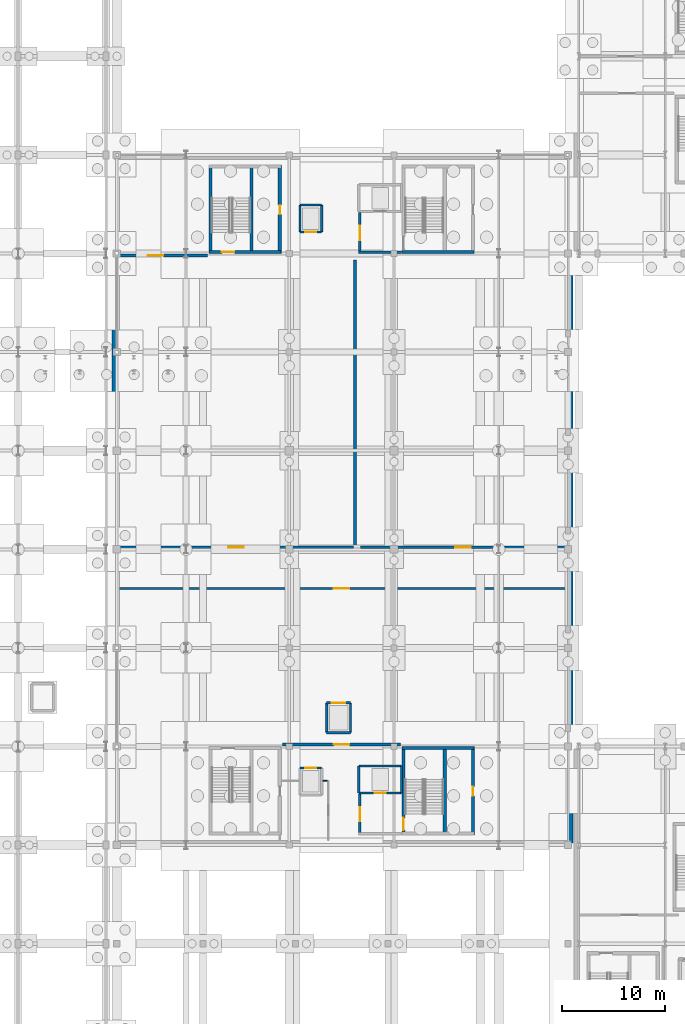
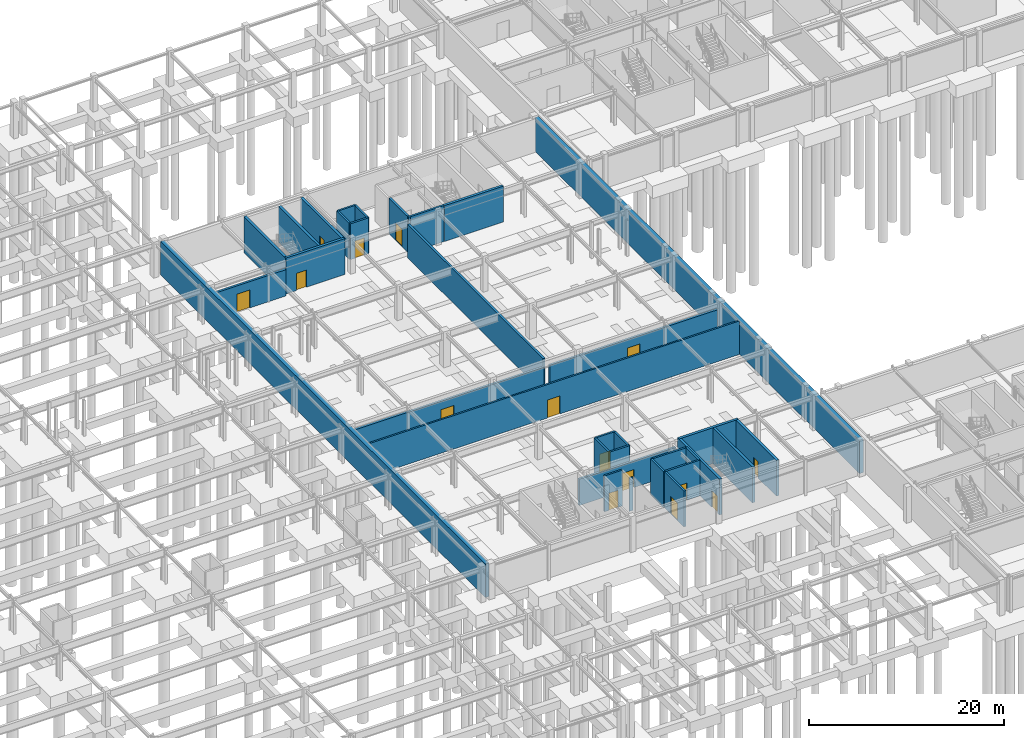
# One storey, part 41 of 59: 34 walls, 15 doors, 15 openings.
"""IFC4 building model written with IfcOpenShell, lengths in metres."""

from ifc_helpers import new_model, si_unit, direction, frame, frame_2d, origin, place, context, subcontext, project, spatial, rectangle, extrude, material, layer, layer_set, type_object, element, fill, save


model = new_model("IFC4")

# Units and contexts
model_context = context("Model", 3, precision=1e-05, world=origin(), true_north=direction((0.0, 1.0)))
body_context = subcontext(model_context, "Body", "Model", "MODEL_VIEW")
ifc_project = project(units=[si_unit("LENGTHUNIT", "METRE"), si_unit("AREAUNIT", "SQUARE_METRE"), si_unit("VOLUMEUNIT", "CUBIC_METRE"), si_unit("PLANEANGLEUNIT", "RADIAN"), si_unit("MASSUNIT", "GRAM", prefix="KILO")], contexts=[model_context])

# Site, building, storey
site_placement = place(None, origin())
site = spatial("IfcSite", under=ifc_project, at=site_placement, CompositionType="ELEMENT")
building_placement = place(site_placement, origin())
building = spatial("IfcBuilding", under=site, at=building_placement, Name="Myrtia Square Station", CompositionType="ELEMENT")
storey_placement = place(building_placement, frame((0.0, 0.0, -4.5)))
storey = spatial("IfcBuildingStorey", under=building, at=storey_placement, Name="B01", CompositionType="ELEMENT", Elevation=-4.5)

# Wall, opening, door
ifc_material_1 = material(Name="Concrete C35/45", Category="concrete")
ifc_layer_1 = layer(ifc_material_1, 0.300048828125, Name="Concrete C35/45")
ifc_layer_set_1 = layer_set([ifc_layer_1], Name="Concrete C35/45")
wall_type_1 = type_object("IfcWallType", Name="WL-CORE-300", PredefinedType="SHEAR", material=ifc_layer_set_1)
wall_1_placement = place(storey_placement, frame((81.60009765625, 86.52490234375, 0.0), z_axis=(0.0, 0.0, 1.0), x_axis=(1.0, 0.0, 0.0)))
wall_1 = element("IfcWall", 1, at=wall_1_placement, inside=storey, type_object=wall_type_1, Name="Core K2 shear wall B01 S", PredefinedType="SHEAR", context=body_context, shape_type="SweptSolid", body=[
    extrude(rectangle(XDim=7.0, YDim=0.300048828125, at=frame_2d((3.5, 0.0))), origin(), (0.0, 0.0, 1.0), 4.5),
])
opening_1_placement = place(wall_1_placement, frame((1.25, 0.0, 0.0)))
opening_1 = element("IfcOpeningElement", 2, at=opening_1_placement, cuts=wall_1, Name="Opening SD-011", PredefinedType="OPENING", context=body_context, shape_type="SweptSolid", body=[
    extrude(rectangle(XDim=1.199951171875, YDim=2.14990234375, at=frame_2d((0.60009765625, 1.074951171875))), frame((0.0, 0.1650390625, 0.0), z_axis=(0.0, -1.0, 0.0), x_axis=(1.0, 0.0, 0.0)), (0.0, 0.0, 1.0), 0.330078125),
])
ifc_material_2 = material(Name="Dark bronze anodised aluminium", Category="aluminium")
door_type_1 = type_object("IfcDoorType", Name="DR-STAIR-1200x2150", OperationType="NOTDEFINED", PredefinedType="DOOR", material=ifc_material_2)
door_1_placement = place(opening_1_placement, origin())
door_1 = element("IfcDoor", 3, at=door_1_placement, inside=storey, type_object=door_type_1, Name="Protected stair fire door K2 B01", OperationType="SINGLE_SWING_LEFT", OverallHeight=2.14990234375, OverallWidth=1.199951171875, PredefinedType="DOOR", context=body_context, shape_type="SweptSolid", body=[
    extrude(rectangle(XDim=1.199951171875, YDim=2.14990234375, at=frame_2d((0.60009765625, 1.074951171875))), frame((0.0, 0.02490234375, 0.0), z_axis=(0.0, -1.0, 0.0), x_axis=(1.0, 0.0, 0.0)), (0.0, 0.0, 1.0), 0.050048828125),
])
fill(opening_1, door_1)

# Wall
wall_2_placement = place(storey_placement, frame((81.72509765625, 86.39990234375, 0.0), z_axis=(0.0, 0.0, 1.0), x_axis=(0.0, 1.0, 0.0)))
element("IfcWall", 4, at=wall_2_placement, inside=storey, type_object=wall_type_1, Name="Core K2 shear wall B01 W", PredefinedType="SHEAR", context=body_context, shape_type="SweptSolid", body=[
    extrude(rectangle(XDim=8.60009765625, YDim=0.300048828125, at=frame_2d((4.300048828125, 0.0))), origin(), (0.0, 0.0, 1.0), 4.5),
])

# Wall, opening, door
wall_3_placement = place(storey_placement, frame((88.47509765625, 86.39990234375, 0.0), z_axis=(0.0, 0.0, 1.0), x_axis=(0.0, 1.0, 0.0)))
wall_3 = element("IfcWall", 5, at=wall_3_placement, inside=storey, type_object=wall_type_1, Name="Core K2 shear wall B01 E", PredefinedType="SHEAR", context=body_context, shape_type="SweptSolid", body=[
    extrude(rectangle(XDim=8.60009765625, YDim=0.300048828125, at=frame_2d((4.300048828125, 0.0))), origin(), (0.0, 0.0, 1.0), 4.5),
])
opening_2_placement = place(wall_3_placement, frame((3.800048828125, 0.0, 0.0)))
opening_2 = element("IfcOpeningElement", 6, at=opening_2_placement, cuts=wall_3, Name="Opening RD-012", PredefinedType="OPENING", context=body_context, shape_type="SweptSolid", body=[
    extrude(rectangle(XDim=0.89990234375, YDim=2.050048828125, at=frame_2d((0.449951171875, 1.02490234375))), frame((0.0, 0.1650390625, 0.0), z_axis=(0.0, -1.0, 0.0), x_axis=(1.0, 0.0, 0.0)), (0.0, 0.0, 1.0), 0.330078125),
])
door_type_2 = type_object("IfcDoorType", Name="DR-RISER-900x2050", OperationType="NOTDEFINED", PredefinedType="DOOR", material=ifc_material_2)
door_2_placement = place(opening_2_placement, origin())
door_2 = element("IfcDoor", 7, at=door_2_placement, inside=storey, type_object=door_type_2, Name="Riser cupboard access door K2 B01", OperationType="SINGLE_SWING_RIGHT", OverallHeight=2.050048828125, OverallWidth=0.89990234375, PredefinedType="DOOR", context=body_context, shape_type="SweptSolid", body=[
    extrude(rectangle(XDim=0.89990234375, YDim=2.050048828125, at=frame_2d((0.449951171875, 1.02490234375))), frame((0.0, 0.02490234375, 0.0), z_axis=(0.0, -1.0, 0.0), x_axis=(1.0, 0.0, 0.0)), (0.0, 0.0, 1.0), 0.050048828125),
])
fill(opening_2, door_2)

# Walls
wall_4_placement = place(storey_placement, frame((85.739990234375, 86.60009765625, 0.0), z_axis=(0.0, 0.0, 1.0), x_axis=(0.0, 1.0, 0.0)))
element("IfcWall", 8, at=wall_4_placement, inside=storey, type_object=wall_type_1, Name="Core K2 shear wall B01 D", PredefinedType="SHEAR", context=body_context, shape_type="SweptSolid", body=[
    extrude(rectangle(XDim=8.199951171875, YDim=0.300048828125, at=frame_2d((4.10009765625, 0.0))), origin(), (0.0, 0.0, 1.0), 4.5),
])
wall_5_placement = place(storey_placement, frame((100.39990234375, 38.27490234375, 0.0), z_axis=(0.0, 0.0, 1.0), x_axis=(1.0, 0.0, 0.0)))
element("IfcWall", 9, at=wall_5_placement, inside=storey, type_object=wall_type_1, Name="Core K3 shear wall B01 N", PredefinedType="SHEAR", context=body_context, shape_type="SweptSolid", body=[
    extrude(rectangle(XDim=7.0, YDim=0.300048828125, at=frame_2d((3.5, 0.0))), origin(), (0.0, 0.0, 1.0), 4.5),
])

# Wall, opening, door
wall_6_placement = place(storey_placement, frame((100.52490234375, 29.800048828125, 0.0), z_axis=(0.0, 0.0, 1.0), x_axis=(0.0, 1.0, 0.0)))
wall_6 = element("IfcWall", 10, at=wall_6_placement, inside=storey, type_object=wall_type_1, Name="Core K3 shear wall B01 W", PredefinedType="SHEAR", context=body_context, shape_type="SweptSolid", body=[
    extrude(rectangle(XDim=8.599853515625, YDim=0.300048828125, at=frame_2d((4.2998046875, 0.0))), origin(), (0.0, 0.0, 1.0), 4.5),
])
opening_3_placement = place(wall_6_placement, frame((0.449951171875, 0.0, 0.0)))
opening_3 = element("IfcOpeningElement", 11, at=opening_3_placement, cuts=wall_6, Name="Opening SD-021", PredefinedType="OPENING", context=body_context, shape_type="SweptSolid", body=[
    extrude(rectangle(XDim=1.199951171875, YDim=2.14990234375, at=frame_2d((0.60009765625, 1.074951171875))), frame((0.0, 0.1650390625, 0.0), z_axis=(0.0, -1.0, 0.0), x_axis=(1.0, 0.0, 0.0)), (0.0, 0.0, 1.0), 0.330078125),
])
door_3_placement = place(opening_3_placement, frame((1.199951171875, 0.0, 0.0), z_axis=(0.0, 0.0, 1.0), x_axis=(-1.0, 0.0, 0.0)))
door_3 = element("IfcDoor", 12, at=door_3_placement, inside=storey, type_object=door_type_1, Name="Protected stair fire door K3 B01", OperationType="SINGLE_SWING_LEFT", OverallHeight=2.14990234375, OverallWidth=1.199951171875, PredefinedType="DOOR", context=body_context, shape_type="SweptSolid", body=[
    extrude(rectangle(XDim=1.199951171875, YDim=2.14990234375, at=frame_2d((0.60009765625, 1.074951171875))), frame((0.0, 0.02490234375, 0.0), z_axis=(0.0, -1.0, 0.0), x_axis=(1.0, 0.0, 0.0)), (0.0, 0.0, 1.0), 0.050048828125),
])
fill(opening_3, door_3)

wall_7_placement = place(storey_placement, frame((107.27490234375, 29.800048828125, 0.0), z_axis=(0.0, 0.0, 1.0), x_axis=(0.0, 1.0, 0.0)))
wall_7 = element("IfcWall", 13, at=wall_7_placement, inside=storey, type_object=wall_type_1, Name="Core K3 shear wall B01 E", PredefinedType="SHEAR", context=body_context, shape_type="SweptSolid", body=[
    extrude(rectangle(XDim=8.599853515625, YDim=0.300048828125, at=frame_2d((4.2998046875, 0.0))), origin(), (0.0, 0.0, 1.0), 4.5),
])
opening_4_placement = place(wall_7_placement, frame((3.800048828125, 0.0, 0.0)))
opening_4 = element("IfcOpeningElement", 14, at=opening_4_placement, cuts=wall_7, Name="Opening RD-022", PredefinedType="OPENING", context=body_context, shape_type="SweptSolid", body=[
    extrude(rectangle(XDim=0.89990234375, YDim=2.050048828125, at=frame_2d((0.449951171875, 1.02490234375))), frame((0.0, 0.1650390625, 0.0), z_axis=(0.0, -1.0, 0.0), x_axis=(1.0, 0.0, 0.0)), (0.0, 0.0, 1.0), 0.330078125),
])
door_4_placement = place(opening_4_placement, origin())
door_4 = element("IfcDoor", 15, at=door_4_placement, inside=storey, type_object=door_type_2, Name="Riser cupboard access door K3 B01", OperationType="SINGLE_SWING_RIGHT", OverallHeight=2.050048828125, OverallWidth=0.89990234375, PredefinedType="DOOR", context=body_context, shape_type="SweptSolid", body=[
    extrude(rectangle(XDim=0.89990234375, YDim=2.050048828125, at=frame_2d((0.449951171875, 1.02490234375))), frame((0.0, 0.02490234375, 0.0), z_axis=(0.0, -1.0, 0.0), x_axis=(1.0, 0.0, 0.0)), (0.0, 0.0, 1.0), 0.050048828125),
])
fill(opening_4, door_4)

# Walls
wall_8_placement = place(storey_placement, frame((104.5400390625, 30.0, 0.0), z_axis=(0.0, 0.0, 1.0), x_axis=(0.0, 1.0, 0.0)))
element("IfcWall", 16, at=wall_8_placement, inside=storey, type_object=wall_type_1, Name="Core K3 shear wall B01 D", PredefinedType="SHEAR", context=body_context, shape_type="SweptSolid", body=[
    extrude(rectangle(XDim=8.199951171875, YDim=0.300048828125, at=frame_2d((4.10009765625, 0.0))), origin(), (0.0, 0.0, 1.0), 4.5),
])
wall_9_placement = place(storey_placement, frame((100.39990234375, 86.52490234375, 0.0), z_axis=(0.0, 0.0, 1.0), x_axis=(1.0, 0.0, 0.0)))
element("IfcWall", 17, at=wall_9_placement, inside=storey, type_object=wall_type_1, Name="Core K4 shear wall B01 S", PredefinedType="SHEAR", context=body_context, shape_type="SweptSolid", body=[
    extrude(rectangle(XDim=7.0, YDim=0.300048828125, at=frame_2d((3.5, 0.0))), origin(), (0.0, 0.0, 1.0), 4.5),
])

# Wall, opening, door
ifc_layer_2 = layer(ifc_material_1, 0.239990234375, Name="Concrete C35/45")
ifc_layer_set_2 = layer_set([ifc_layer_2], Name="Concrete C35/45")
wall_type_2 = type_object("IfcWallType", Name="WL-FFL-240", PredefinedType="SHEAR", material=ifc_layer_set_2)
wall_10_placement = place(storey_placement, frame((96.27001953125, 29.800048828125, 0.0), z_axis=(0.0, 0.0, 1.0), x_axis=(0.0, 1.0, 0.0)))
wall_10 = element("IfcWall", 18, at=wall_10_placement, inside=storey, type_object=wall_type_2, Name="Firefighting lift lobby EI 120 wall K3 B01 W", PredefinedType="SHEAR", context=body_context, shape_type="SweptSolid", body=[
    extrude(rectangle(XDim=4.0, YDim=0.239990234375, at=frame_2d((2.0, 0.0))), origin(), (0.0, 0.0, 1.0), 4.5),
])
opening_5_placement = place(wall_10_placement, frame((1.300048828125, 0.0, 0.0)))
opening_5 = element("IfcOpeningElement", 19, at=opening_5_placement, cuts=wall_10, Name="Opening FD-023", PredefinedType="OPENING", context=body_context, shape_type="SweptSolid", body=[
    extrude(rectangle(XDim=1.39990234375, YDim=2.199951171875, at=frame_2d((0.699951171875, 1.10009765625))), frame((0.0, 0.135009765625, 0.0), z_axis=(0.0, -1.0, 0.0), x_axis=(1.0, 0.0, 0.0)), (0.0, 0.0, 1.0), 0.27001953125),
])
door_type_3 = type_object("IfcDoorType", Name="DR-FFL-1400x2200", OperationType="NOTDEFINED", PredefinedType="DOOR", material=ifc_material_2)
door_5_placement = place(opening_5_placement, origin())
door_5 = element("IfcDoor", 20, at=door_5_placement, inside=storey, type_object=door_type_3, Name="Firefighting lobby fire door K3 B01", OperationType="SINGLE_SWING_LEFT", OverallHeight=2.199951171875, OverallWidth=1.39990234375, PredefinedType="DOOR", context=body_context, shape_type="SweptSolid", body=[
    extrude(rectangle(XDim=1.39990234375, YDim=2.199951171875, at=frame_2d((0.699951171875, 1.10009765625))), frame((0.0, 0.02490234375, 0.0), z_axis=(0.0, -1.0, 0.0), x_axis=(1.0, 0.0, 0.0)), (0.0, 0.0, 1.0), 0.050048828125),
])
fill(opening_5, door_5)

wall_11_placement = place(storey_placement, frame((96.27001953125, 86.39990234375, 0.0), z_axis=(0.0, 0.0, 1.0), x_axis=(0.0, 1.0, 0.0)))
wall_11 = element("IfcWall", 21, at=wall_11_placement, inside=storey, type_object=wall_type_2, Name="Firefighting lift lobby EI 120 wall K4 B01 W", PredefinedType="SHEAR", context=body_context, shape_type="SweptSolid", body=[
    extrude(rectangle(XDim=4.0, YDim=0.239990234375, at=frame_2d((2.0, 0.0))), origin(), (0.0, 0.0, 1.0), 4.5),
])
opening_6_placement = place(wall_11_placement, frame((1.300048828125, 0.0, 0.0)))
opening_6 = element("IfcOpeningElement", 22, at=opening_6_placement, cuts=wall_11, Name="Opening FD-038", PredefinedType="OPENING", context=body_context, shape_type="SweptSolid", body=[
    extrude(rectangle(XDim=1.39990234375, YDim=2.199951171875, at=frame_2d((0.699951171875, 1.10009765625))), frame((0.0, 0.135009765625, 0.0), z_axis=(0.0, -1.0, 0.0), x_axis=(1.0, 0.0, 0.0)), (0.0, 0.0, 1.0), 0.27001953125),
])
door_6_placement = place(opening_6_placement, origin())
door_6 = element("IfcDoor", 23, at=door_6_placement, inside=storey, type_object=door_type_3, Name="Firefighting lobby fire door K4 B01", OperationType="SINGLE_SWING_RIGHT", OverallHeight=2.199951171875, OverallWidth=1.39990234375, PredefinedType="DOOR", context=body_context, shape_type="SweptSolid", body=[
    extrude(rectangle(XDim=1.39990234375, YDim=2.199951171875, at=frame_2d((0.699951171875, 1.10009765625))), frame((0.0, 0.02490234375, 0.0), z_axis=(0.0, -1.0, 0.0), x_axis=(1.0, 0.0, 0.0)), (0.0, 0.0, 1.0), 0.050048828125),
])
fill(opening_6, door_6)

# Wall
wall_12_placement = place(storey_placement, frame((96.14990234375, 86.52001953125, 0.0), z_axis=(0.0, 0.0, 1.0), x_axis=(1.0, 0.0, 0.0)))
element("IfcWall", 24, at=wall_12_placement, inside=storey, type_object=wall_type_2, Name="Firefighting lift lobby EI 120 wall K4 B01 S", PredefinedType="SHEAR", context=body_context, shape_type="SweptSolid", body=[
    extrude(rectangle(XDim=4.2001953125, YDim=0.239990234375, at=frame_2d((2.10009765625, 0.0))), origin(), (0.0, 0.0, 1.0), 4.5),
])

# Wall, opening, door
ifc_layer_3 = layer(ifc_material_1, 0.219970703125, Name="Concrete C35/45")
ifc_layer_set_3 = layer_set([ifc_layer_3], Name="Concrete C35/45")
wall_type_3 = type_object("IfcWallType", Name="WL-LIFT-220", PredefinedType="SHEAR", material=ifc_layer_set_3)
wall_13_placement = place(storey_placement, frame((90.43994140625, 36.31005859375, 0.0), z_axis=(0.0, 0.0, 1.0), x_axis=(1.0, 0.0, 0.0)))
wall_13 = element("IfcWall", 25, at=wall_13_placement, inside=storey, type_object=wall_type_3, Name="Lift shaft wall PL-05 B01 +Y", PredefinedType="SHEAR", context=body_context, shape_type="SweptSolid", body=[
    extrude(rectangle(XDim=2.1201171875, YDim=0.219970703125, at=frame_2d((1.06005859375, 0.0))), origin(), (0.0, 0.0, 1.0), 4.5),
])
opening_7_placement = place(wall_13_placement, frame((0.510009765625, 0.0, 0.0)))
opening_7 = element("IfcOpeningElement", 26, at=opening_7_placement, cuts=wall_13, Name="Opening LD-PL-05", PredefinedType="OPENING", context=body_context, shape_type="SweptSolid", body=[
    extrude(rectangle(XDim=1.10009765625, YDim=2.14990234375, at=frame_2d((0.550048828125, 1.074951171875))), frame((0.0, 0.125, 0.0), z_axis=(0.0, -1.0, 0.0), x_axis=(1.0, 0.0, 0.0)), (0.0, 0.0, 1.0), 0.25),
])
door_type_4 = type_object("IfcDoorType", Name="DR-LIFT-1100x2150", OperationType="NOTDEFINED", PredefinedType="DOOR", material=ifc_material_2)
door_7_placement = place(opening_7_placement, origin())
door_7 = element("IfcDoor", 27, at=door_7_placement, inside=storey, type_object=door_type_4, Name="Lift landing door PL-05 B01", OperationType="SLIDING_TO_LEFT", OverallHeight=2.14990234375, OverallWidth=1.10009765625, PredefinedType="DOOR", context=body_context, shape_type="SweptSolid", body=[
    extrude(rectangle(XDim=1.10009765625, YDim=2.14990234375, at=frame_2d((0.550048828125, 1.074951171875))), frame((0.0, 0.02490234375, 0.0), z_axis=(0.0, -1.0, 0.0), x_axis=(1.0, 0.0, 0.0)), (0.0, 0.0, 1.0), 0.050048828125),
])
fill(opening_7, door_7)

wall_14_placement = place(storey_placement, frame((90.43994140625, 88.489990234375, 0.0), z_axis=(0.0, 0.0, 1.0), x_axis=(1.0, 0.0, 0.0)))
wall_14 = element("IfcWall", 28, at=wall_14_placement, inside=storey, type_object=wall_type_3, Name="Lift shaft wall PL-06 B01 -Y", PredefinedType="SHEAR", context=body_context, shape_type="SweptSolid", body=[
    extrude(rectangle(XDim=2.1201171875, YDim=0.219970703125, at=frame_2d((1.06005859375, 0.0))), origin(), (0.0, 0.0, 1.0), 4.5),
])
opening_8_placement = place(wall_14_placement, frame((0.510009765625, 0.0, 0.0)))
opening_8 = element("IfcOpeningElement", 29, at=opening_8_placement, cuts=wall_14, Name="Opening LD-PL-06", PredefinedType="OPENING", context=body_context, shape_type="SweptSolid", body=[
    extrude(rectangle(XDim=1.10009765625, YDim=2.14990234375, at=frame_2d((0.550048828125, 1.074951171875))), frame((0.0, 0.125, 0.0), z_axis=(0.0, -1.0, 0.0), x_axis=(1.0, 0.0, 0.0)), (0.0, 0.0, 1.0), 0.25),
])
door_8_placement = place(opening_8_placement, origin())
door_8 = element("IfcDoor", 30, at=door_8_placement, inside=storey, type_object=door_type_4, Name="Lift landing door PL-06 B01", OperationType="SLIDING_TO_RIGHT", OverallHeight=2.14990234375, OverallWidth=1.10009765625, PredefinedType="DOOR", context=body_context, shape_type="SweptSolid", body=[
    extrude(rectangle(XDim=1.10009765625, YDim=2.14990234375, at=frame_2d((0.550048828125, 1.074951171875))), frame((0.0, 0.02490234375, 0.0), z_axis=(0.0, -1.0, 0.0), x_axis=(1.0, 0.0, 0.0)), (0.0, 0.0, 1.0), 0.050048828125),
])
fill(opening_8, door_8)

# Walls
wall_15_placement = place(storey_placement, frame((90.43994140625, 91.110107421875, 0.0), z_axis=(0.0, 0.0, 1.0), x_axis=(1.0, 0.0, 0.0)))
element("IfcWall", 31, at=wall_15_placement, inside=storey, type_object=wall_type_3, Name="Lift shaft wall PL-06 B01 +Y", PredefinedType="SHEAR", context=body_context, shape_type="SweptSolid", body=[
    extrude(rectangle(XDim=2.1201171875, YDim=0.219970703125, at=frame_2d((1.06005859375, 0.0))), origin(), (0.0, 0.0, 1.0), 4.5),
])
for number, where, z_axis, x_axis, name in (
    (32, (90.43994140625, 88.489990234375, 0.0), (0.0, 0.0, 1.0), (0.0, 1.0, 0.0), "Lift shaft wall PL-06 B01 -X"),
    (33, (92.56005859375, 88.489990234375, 0.0), (0.0, 0.0, 1.0), (0.0, 1.0, 0.0), "Lift shaft wall PL-06 B01 +X"),
):
    element("IfcWall", number, at=place(storey_placement, frame(where, z_axis=z_axis, x_axis=x_axis)), inside=storey, type_object=wall_type_3, Name=name, PredefinedType="SHEAR", context=body_context, shape_type="SweptSolid", body=[
        extrude(rectangle(XDim=2.6201171875, YDim=0.219970703125, at=frame_2d((1.31005859375, 0.0))), origin(), (0.0, 0.0, 1.0), 4.5),
    ])

# Wall, opening, door
wall_16_placement = place(storey_placement, frame((96.169921875, 33.8798828125, 0.0), z_axis=(0.0, 0.0, 1.0), x_axis=(1.0, 0.0, 0.0)))
wall_16 = element("IfcWall", 34, at=wall_16_placement, inside=storey, type_object=wall_type_3, Name="Lift shaft wall FFL-01 B01 -Y", PredefinedType="SHEAR", context=body_context, shape_type="SweptSolid", body=[
    extrude(rectangle(XDim=4.16015625, YDim=0.219970703125, at=frame_2d((2.080078125, 0.0))), origin(), (0.0, 0.0, 1.0), 4.5),
])
opening_9_placement = place(wall_16_placement, frame((1.530029296875, 0.0, 0.0)))
opening_9 = element("IfcOpeningElement", 35, at=opening_9_placement, cuts=wall_16, Name="Opening LD-FFL-01", PredefinedType="OPENING", context=body_context, shape_type="SweptSolid", body=[
    extrude(rectangle(XDim=1.10009765625, YDim=2.14990234375, at=frame_2d((0.550048828125, 1.074951171875))), frame((0.0, 0.125, 0.0), z_axis=(0.0, -1.0, 0.0), x_axis=(1.0, 0.0, 0.0)), (0.0, 0.0, 1.0), 0.25),
])
door_9_placement = place(opening_9_placement, origin())
door_9 = element("IfcDoor", 36, at=door_9_placement, inside=storey, type_object=door_type_4, Name="Lift landing door FFL-01 B01", OperationType="SLIDING_TO_RIGHT", OverallHeight=2.14990234375, OverallWidth=1.10009765625, PredefinedType="DOOR", context=body_context, shape_type="SweptSolid", body=[
    extrude(rectangle(XDim=1.10009765625, YDim=2.14990234375, at=frame_2d((0.550048828125, 1.074951171875))), frame((0.0, 0.02490234375, 0.0), z_axis=(0.0, -1.0, 0.0), x_axis=(1.0, 0.0, 0.0)), (0.0, 0.0, 1.0), 0.050048828125),
])
fill(opening_9, door_9)

# Walls
wall_17_placement = place(storey_placement, frame((96.169921875, 36.5, 0.0), z_axis=(0.0, 0.0, 1.0), x_axis=(1.0, 0.0, 0.0)))
element("IfcWall", 37, at=wall_17_placement, inside=storey, type_object=wall_type_3, Name="Lift shaft wall FFL-01 B01 +Y", PredefinedType="SHEAR", context=body_context, shape_type="SweptSolid", body=[
    extrude(rectangle(XDim=4.16015625, YDim=0.219970703125, at=frame_2d((2.080078125, 0.0))), origin(), (0.0, 0.0, 1.0), 4.5),
])
for number, where, z_axis, x_axis, name in (
    (38, (96.169921875, 33.8798828125, 0.0), (0.0, 0.0, 1.0), (0.0, 1.0, 0.0), "Lift shaft wall FFL-01 B01 -X"),
    (39, (100.330078125, 33.8798828125, 0.0), (0.0, 0.0, 1.0), (0.0, 1.0, 0.0), "Lift shaft wall FFL-01 B01 +X"),
):
    element("IfcWall", number, at=place(storey_placement, frame(where, z_axis=z_axis, x_axis=x_axis)), inside=storey, type_object=wall_type_3, Name=name, PredefinedType="SHEAR", context=body_context, shape_type="SweptSolid", body=[
        extrude(rectangle(XDim=2.6201171875, YDim=0.219970703125, at=frame_2d((1.31005859375, 0.0))), origin(), (0.0, 0.0, 1.0), 4.5),
    ])
wall_18_placement = place(storey_placement, frame((93.0400390625, 39.739990234375, 0.0), z_axis=(0.0, 0.0, 1.0), x_axis=(1.0, 0.0, 0.0)))
element("IfcWall", 40, at=wall_18_placement, inside=storey, type_object=wall_type_3, Name="Lift shaft wall GL-01 B01 -Y", PredefinedType="SHEAR", context=body_context, shape_type="SweptSolid", body=[
    extrude(rectangle(XDim=2.320068359375, YDim=0.219970703125, at=frame_2d((1.16015625, 0.0))), origin(), (0.0, 0.0, 1.0), 4.5),
])

# Wall, opening, door
wall_19_placement = place(storey_placement, frame((93.0400390625, 42.659912109375, 0.0), z_axis=(0.0, 0.0, 1.0), x_axis=(1.0, 0.0, 0.0)))
wall_19 = element("IfcWall", 41, at=wall_19_placement, inside=storey, type_object=wall_type_3, Name="Lift shaft wall GL-01 B01 +Y", PredefinedType="SHEAR", context=body_context, shape_type="SweptSolid", body=[
    extrude(rectangle(XDim=2.320068359375, YDim=0.219970703125, at=frame_2d((1.16015625, 0.0))), origin(), (0.0, 0.0, 1.0), 4.5),
])
opening_10_placement = place(wall_19_placement, frame((0.510009765625, 0.0, 0.0)))
opening_10 = element("IfcOpeningElement", 42, at=opening_10_placement, cuts=wall_19, Name="Opening LD-GL-01", PredefinedType="OPENING", context=body_context, shape_type="SweptSolid", body=[
    extrude(rectangle(XDim=1.300048828125, YDim=2.25, at=frame_2d((0.64990234375, 1.125))), frame((0.0, 0.125, 0.0), z_axis=(0.0, -1.0, 0.0), x_axis=(1.0, 0.0, 0.0)), (0.0, 0.0, 1.0), 0.25),
])
door_type_5 = type_object("IfcDoorType", Name="DR-LIFT-1300x2250", OperationType="NOTDEFINED", PredefinedType="DOOR", material=ifc_material_2)
door_10_placement = place(opening_10_placement, origin())
door_10 = element("IfcDoor", 43, at=door_10_placement, inside=storey, type_object=door_type_5, Name="Lift landing door GL-01 B01", OperationType="SLIDING_TO_RIGHT", OverallHeight=2.25, OverallWidth=1.300048828125, PredefinedType="DOOR", context=body_context, shape_type="SweptSolid", body=[
    extrude(rectangle(XDim=1.300048828125, YDim=2.25, at=frame_2d((0.64990234375, 1.125))), frame((0.0, 0.02490234375, 0.0), z_axis=(0.0, -1.0, 0.0), x_axis=(1.0, 0.0, 0.0)), (0.0, 0.0, 1.0), 0.050048828125),
])
fill(opening_10, door_10)

# Walls
for number, where, z_axis, x_axis, name in (
    (44, (93.0400390625, 39.739990234375, 0.0), (0.0, 0.0, 1.0), (0.0, 1.0, 0.0), "Lift shaft wall GL-01 B01 -X"),
    (45, (95.360107421875, 39.739990234375, 0.0), (0.0, 0.0, 1.0), (0.0, 1.0, 0.0), "Lift shaft wall GL-01 B01 +X"),
):
    element("IfcWall", number, at=place(storey_placement, frame(where, z_axis=z_axis, x_axis=x_axis)), inside=storey, type_object=wall_type_3, Name=name, PredefinedType="SHEAR", context=body_context, shape_type="SweptSolid", body=[
        extrude(rectangle(XDim=2.919921875, YDim=0.219970703125, at=frame_2d((1.4599609375, 0.0))), origin(), (0.0, 0.0, 1.0), 4.5),
    ])
ifc_material_3 = material(Name="Gypsum plasterboard")
ifc_layer_4 = layer(ifc_material_3, 0.10009765625, Name="Gypsum plasterboard")
ifc_layer_set_4 = layer_set([ifc_layer_4], Name="Gypsum plasterboard")
wall_type_4 = type_object("IfcWallType", Name="WL-PART-100", PredefinedType="PARTITIONING", material=ifc_layer_set_4)
wall_20_placement = place(storey_placement, frame((92.679931640625, 35.050048828125, 0.0), z_axis=(0.0, 0.0, 1.0), x_axis=(1.0, 0.0, 0.0)))
element("IfcWall", 46, at=wall_20_placement, inside=storey, type_object=wall_type_4, Name="Sanitary enclosure partition B01-05", PredefinedType="PARTITIONING", context=body_context, shape_type="SweptSolid", body=[
    extrude(rectangle(XDim=0.440185546875, YDim=0.10009765625, at=frame_2d((0.22021484375, 0.0))), origin(), (0.0, 0.0, 1.0), 4.199951171875),
])

# Wall, opening, door
ifc_material_4 = material(Name="Cream lime stucco on clay brick masonry", Category="masonry")
ifc_layer_5 = layer(ifc_material_4, 0.199951171875, Name="Cream lime stucco on clay brick masonry")
ifc_layer_set_5 = layer_set([ifc_layer_5], Name="Cream lime stucco on clay brick masonry")
wall_type_5 = type_object("IfcWallType", Name="WL-PART-200", PredefinedType="PARTITIONING", material=ifc_layer_set_5)
wall_21_placement = place(storey_placement, frame((72.610107421875, 53.800048828125, 0.0), z_axis=(0.0, 0.0, 1.0), x_axis=(1.0, 0.0, 0.0)))
wall_21 = element("IfcWall", 47, at=wall_21_placement, inside=storey, type_object=wall_type_5, Name="Interior partition wall B01-01", PredefinedType="PARTITIONING", context=body_context, shape_type="SweptSolid", body=[
    extrude(rectangle(XDim=43.93994140625, YDim=0.199951171875, at=frame_2d((21.969970703125, 0.0))), origin(), (0.0, 0.0, 1.0), 4.199951171875),
])
opening_11_placement = place(wall_21_placement, frame((21.139892578125, 0.0, 0.0)))
opening_11 = element("IfcOpeningElement", 48, at=opening_11_placement, cuts=wall_21, Name="Opening D-199", PredefinedType="OPENING", context=body_context, shape_type="SweptSolid", body=[
    extrude(rectangle(XDim=1.5, YDim=2.25, at=frame_2d((0.75, 1.125))), frame((0.0, 0.114990234375, 0.0), z_axis=(0.0, -1.0, 0.0), x_axis=(1.0, 0.0, 0.0)), (0.0, 0.0, 1.0), 0.22998046875),
])
door_type_6 = type_object("IfcDoorType", Name="DR-PLANT-1500x2250", OperationType="NOTDEFINED", PredefinedType="DOOR", material=ifc_material_2)
door_11_placement = place(opening_11_placement, origin())
door_11 = element("IfcDoor", 49, at=door_11_placement, inside=storey, type_object=door_type_6, Name="Baggage Handling and Sorting Hall door D-199", OperationType="SINGLE_SWING_LEFT", OverallHeight=2.25, OverallWidth=1.5, PredefinedType="DOOR", context=body_context, shape_type="SweptSolid", body=[
    extrude(rectangle(XDim=1.5, YDim=2.25, at=frame_2d((0.75, 1.125))), frame((0.0, 0.02490234375, 0.0), z_axis=(0.0, -1.0, 0.0), x_axis=(1.0, 0.0, 0.0)), (0.0, 0.0, 1.0), 0.050048828125),
])
fill(opening_11, door_11)

ifc_layer_6 = layer(ifc_material_4, 0.260009765625, Name="Cream lime stucco on clay brick masonry")
ifc_layer_set_6 = layer_set([ifc_layer_6], Name="Cream lime stucco on clay brick masonry")
wall_type_6 = type_object("IfcWallType", Name="WL-PART-260", PredefinedType="PARTITIONING", material=ifc_layer_set_6)
wall_22_placement = place(storey_placement, frame((72.75, 57.800048828125, 0.0), z_axis=(0.0, 0.0, 1.0), x_axis=(1.0, 0.0, 0.0)))
wall_22 = element("IfcWall", 50, at=wall_22_placement, inside=storey, type_object=wall_type_6, Name="Interior partition wall B01-02", PredefinedType="PARTITIONING", context=body_context, shape_type="SweptSolid", body=[
    extrude(rectangle(XDim=22.89990234375, YDim=0.260009765625, at=frame_2d((11.449951171875, 0.0))), origin(), (0.0, 0.0, 1.0), 3.300048828125),
])
opening_12_placement = place(wall_22_placement, frame((10.699951171875, 0.0, 0.0)))
opening_12 = element("IfcOpeningElement", 51, at=opening_12_placement, cuts=wall_22, Name="Opening D-200", PredefinedType="OPENING", context=body_context, shape_type="SweptSolid", body=[
    extrude(rectangle(XDim=1.5, YDim=2.25, at=frame_2d((0.75, 1.125))), frame((0.0, 0.14501953125, 0.0), z_axis=(0.0, -1.0, 0.0), x_axis=(1.0, 0.0, 0.0)), (0.0, 0.0, 1.0), 0.2900390625),
])
door_12_placement = place(opening_12_placement, frame((1.5, 0.0, 0.0), z_axis=(0.0, 0.0, 1.0), x_axis=(-1.0, 0.0, 0.0)))
door_12 = element("IfcDoor", 52, at=door_12_placement, inside=storey, type_object=door_type_6, Name="Station Air Handling Plant Room door D-200", OperationType="SINGLE_SWING_RIGHT", OverallHeight=2.25, OverallWidth=1.5, PredefinedType="DOOR", context=body_context, shape_type="SweptSolid", body=[
    extrude(rectangle(XDim=1.5, YDim=2.25, at=frame_2d((0.75, 1.125))), frame((0.0, 0.02490234375, 0.0), z_axis=(0.0, -1.0, 0.0), x_axis=(1.0, 0.0, 0.0)), (0.0, 0.0, 1.0), 0.050048828125),
])
fill(opening_12, door_12)

wall_23_placement = place(storey_placement, frame((96.35009765625, 57.800048828125, 0.0), z_axis=(0.0, 0.0, 1.0), x_axis=(1.0, 0.0, 0.0)))
wall_23 = element("IfcWall", 53, at=wall_23_placement, inside=storey, type_object=wall_type_6, Name="Interior partition wall B01-03", PredefinedType="PARTITIONING", context=body_context, shape_type="SweptSolid", body=[
    extrude(rectangle(XDim=19.89990234375, YDim=0.260009765625, at=frame_2d((9.949951171875, 0.0))), origin(), (0.0, 0.0, 1.0), 3.300048828125),
])
opening_13_placement = place(wall_23_placement, frame((9.199951171875, 0.0, 0.0)))
opening_13 = element("IfcOpeningElement", 54, at=opening_13_placement, cuts=wall_23, Name="Opening D-201", PredefinedType="OPENING", context=body_context, shape_type="SweptSolid", body=[
    extrude(rectangle(XDim=1.5, YDim=2.25, at=frame_2d((0.75, 1.125))), frame((0.0, 0.14501953125, 0.0), z_axis=(0.0, -1.0, 0.0), x_axis=(1.0, 0.0, 0.0)), (0.0, 0.0, 1.0), 0.2900390625),
])
door_13_placement = place(opening_13_placement, frame((1.5, 0.0, 0.0), z_axis=(0.0, 0.0, 1.0), x_axis=(-1.0, 0.0, 0.0)))
door_13 = element("IfcDoor", 55, at=door_13_placement, inside=storey, type_object=door_type_6, Name="Concourse Smoke Exhaust Fan Room door D-201", OperationType="SINGLE_SWING_LEFT", OverallHeight=2.25, OverallWidth=1.5, PredefinedType="DOOR", context=body_context, shape_type="SweptSolid", body=[
    extrude(rectangle(XDim=1.5, YDim=2.25, at=frame_2d((0.75, 1.125))), frame((0.0, 0.02490234375, 0.0), z_axis=(0.0, -1.0, 0.0), x_axis=(1.0, 0.0, 0.0)), (0.0, 0.0, 1.0), 0.050048828125),
])
fill(opening_13, door_13)

wall_24_placement = place(storey_placement, frame((72.75, 86.199951171875, 0.0), z_axis=(0.0, 0.0, 1.0), x_axis=(1.0, 0.0, 0.0)))
wall_24 = element("IfcWall", 56, at=wall_24_placement, inside=storey, type_object=wall_type_6, Name="Interior partition wall B01-16", PredefinedType="PARTITIONING", context=body_context, shape_type="SweptSolid", body=[
    extrude(rectangle(XDim=8.68994140625, YDim=0.260009765625, at=frame_2d((4.344970703125, 0.0))), origin(), (0.0, 0.0, 1.0), 3.300048828125),
])
opening_14_placement = place(wall_24_placement, frame((2.89501953125, 0.0, 0.0)))
opening_14 = element("IfcOpeningElement", 57, at=opening_14_placement, cuts=wall_24, Name="Opening D-213", PredefinedType="OPENING", context=body_context, shape_type="SweptSolid", body=[
    extrude(rectangle(XDim=1.5, YDim=2.25, at=frame_2d((0.75, 1.125))), frame((0.0, 0.14501953125, 0.0), z_axis=(0.0, -1.0, 0.0), x_axis=(1.0, 0.0, 0.0)), (0.0, 0.0, 1.0), 0.2900390625),
])
door_14_placement = place(opening_14_placement, frame((1.5, 0.0, 0.0), z_axis=(0.0, 0.0, 1.0), x_axis=(-1.0, 0.0, 0.0)))
door_14 = element("IfcDoor", 58, at=door_14_placement, inside=storey, type_object=door_type_6, Name="North Concourse Mechanical Equipment Room door D-213", OperationType="SINGLE_SWING_LEFT", OverallHeight=2.25, OverallWidth=1.5, PredefinedType="DOOR", context=body_context, shape_type="SweptSolid", body=[
    extrude(rectangle(XDim=1.5, YDim=2.25, at=frame_2d((0.75, 1.125))), frame((0.0, 0.02490234375, 0.0), z_axis=(0.0, -1.0, 0.0), x_axis=(1.0, 0.0, 0.0)), (0.0, 0.0, 1.0), 0.050048828125),
])
fill(opening_14, door_14)

wall_25_placement = place(storey_placement, frame((88.760009765625, 38.60009765625, 0.0), z_axis=(0.0, 0.0, 1.0), x_axis=(1.0, 0.0, 0.0)))
wall_25 = element("IfcWall", 59, at=wall_25_placement, inside=storey, type_object=wall_type_6, Name="Interior partition wall B01-17", PredefinedType="PARTITIONING", context=body_context, shape_type="SweptSolid", body=[
    extrude(rectangle(XDim=11.47998046875, YDim=0.260009765625, at=frame_2d((5.739990234375, 0.0))), origin(), (0.0, 0.0, 1.0), 3.300048828125),
])
opening_15_placement = place(wall_25_placement, frame((4.989990234375, 0.0, 0.0)))
opening_15 = element("IfcOpeningElement", 60, at=opening_15_placement, cuts=wall_25, Name="Opening D-214", PredefinedType="OPENING", context=body_context, shape_type="SweptSolid", body=[
    extrude(rectangle(XDim=1.5, YDim=2.25, at=frame_2d((0.75, 1.125))), frame((0.0, 0.14501953125, 0.0), z_axis=(0.0, -1.0, 0.0), x_axis=(1.0, 0.0, 0.0)), (0.0, 0.0, 1.0), 0.2900390625),
])
door_15_placement = place(opening_15_placement, origin())
door_15 = element("IfcDoor", 61, at=door_15_placement, inside=storey, type_object=door_type_6, Name="South Concourse Electrical Switchgear Room door D-214", OperationType="SINGLE_SWING_RIGHT", OverallHeight=2.25, OverallWidth=1.5, PredefinedType="DOOR", context=body_context, shape_type="SweptSolid", body=[
    extrude(rectangle(XDim=1.5, YDim=2.25, at=frame_2d((0.75, 1.125))), frame((0.0, 0.02490234375, 0.0), z_axis=(0.0, -1.0, 0.0), x_axis=(1.0, 0.0, 0.0)), (0.0, 0.0, 1.0), 0.050048828125),
])
fill(opening_15, door_15)

# Walls
wall_26_placement = place(storey_placement, frame((95.800048828125, 57.93505859375, 0.0), z_axis=(0.0, 0.0, 1.0), x_axis=(0.0, 1.0, 0.0)))
element("IfcWall", 62, at=wall_26_placement, inside=storey, type_object=wall_type_6, Name="Room divider partition B01-02", PredefinedType="PARTITIONING", context=body_context, shape_type="SweptSolid", body=[
    extrude(rectangle(XDim=27.81494140625, YDim=0.260009765625, at=frame_2d((13.907470703125, 0.0))), origin(), (0.0, 0.0, 1.0), 4.199951171875),
])
ifc_layer_7 = layer(ifc_material_1, 0.449951171875, Name="Concrete C35/45")
ifc_layer_set_7 = layer_set([ifc_layer_7], Name="Concrete C35/45")
wall_type_7 = type_object("IfcWallType", Name="WL-RET-450", PredefinedType="SHEAR", material=ifc_layer_set_7)
for number, where, z_axis, x_axis, name in (
    (63, (116.780029296875, 29.02001953125, 0.0), (0.0, 0.0, 1.0), (0.0, 1.0, 0.0), "Basement retaining wall V2-02"),
    (64, (72.3798828125, 95.780029296875, 0.0), (0.0, 0.0, 1.0), (0.0, -1.0, 0.0), "Basement retaining wall V2-04"),
):
    element("IfcWall", number, at=place(storey_placement, frame(where, z_axis=z_axis, x_axis=x_axis)), inside=storey, type_object=wall_type_7, Name=name, PredefinedType="SHEAR", context=body_context, shape_type="SweptSolid", body=[
        extrude(rectangle(XDim=66.760009765625, YDim=0.449951171875, at=frame_2d((33.3798828125, 0.0))), origin(), (0.0, 0.0, 1.0), 4.199951171875),
    ])

save(model, "model.ifc")
